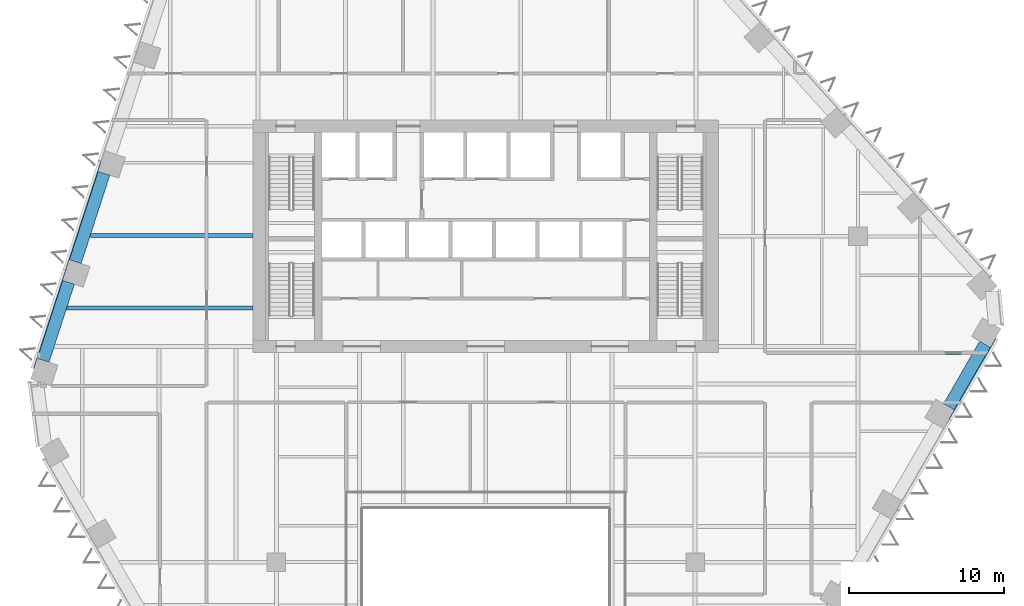
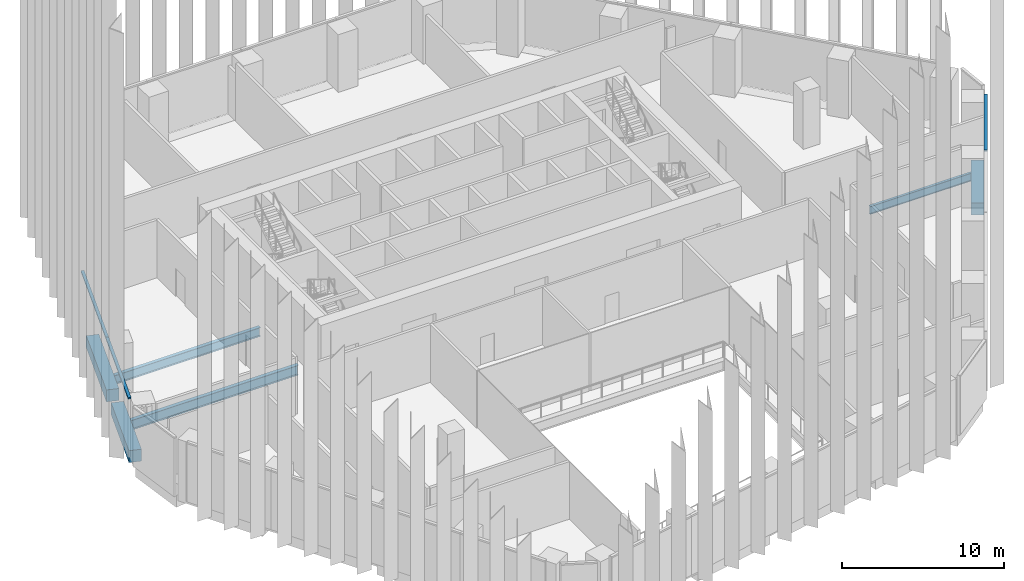
# One storey, part 6 of 18: 6 beams, 3 members, 2 elements without a shape of their own.
"""IFC4 building model written with IfcOpenShell, lengths in metres."""

from ifc_helpers import new_model, si_unit, direction, frame, origin, origin_2d, place, context, subcontext, project, spatial, rectangle, i_section, extrude, material, layer, layer_set, material_profile, profile_set, type_object, element, aggregate, save


model = new_model("IFC4")

# Units and contexts
model_context = context("Model", 3, precision=1e-05, world=origin(), true_north=direction((0.0, 1.0)))
body_context = subcontext(model_context, "Body", "Model", "MODEL_VIEW")
ifc_project = project(units=[si_unit("LENGTHUNIT", "METRE"), si_unit("AREAUNIT", "SQUARE_METRE"), si_unit("VOLUMEUNIT", "CUBIC_METRE"), si_unit("PLANEANGLEUNIT", "RADIAN"), si_unit("MASSUNIT", "GRAM", prefix="KILO")], contexts=[model_context])

# Site, building, storey
site_placement = place(None, origin())
site = spatial("IfcSite", under=ifc_project, at=site_placement, CompositionType="ELEMENT")
building_placement = place(site_placement, origin())
building = spatial("IfcBuilding", under=site, at=building_placement, Name="Isthmus Gate Tower", CompositionType="ELEMENT")
storey_placement = place(building_placement, frame((0.0, 0.0, 166.300048828125)))
storey = spatial("IfcBuildingStorey", under=building, at=storey_placement, Name="L41", CompositionType="ELEMENT", Elevation=166.300048828125)

# Curtain wall, members
ifc_material_1 = material(Name="Aluminium, pale champagne anodised", Category="aluminium")
ifc_layer = layer(ifc_material_1, 0.199951171875)
ifc_layer_set = layer_set([ifc_layer], Name="CW-2 LOUVRE CURTAIN WALL 200 DEEP")
curtain_wall_type = type_object("IfcCurtainWallType", Name="CW-2 LOUVRE CURTAIN WALL 200 DEEP", PredefinedType="NOTDEFINED", material=ifc_layer_set)
curtain_wall_1_placement = place(storey_placement, origin())
curtain_wall_1 = element("IfcCurtainWall", 1, at=curtain_wall_1_placement, inside=storey, type_object=curtain_wall_type, Name="CW-2 NW L41", PredefinedType="NOTDEFINED")
ifc_material_2 = material(Name="Aluminium, pale champagne anodised", Category="aluminium")
ifc_material_profile_1 = material_profile(ifc_material_2, rectangle(XDim=0.199951171875, YDim=0.110107421875, at=origin_2d()), Name="200x110")
ifc_profile_set_1 = profile_set([ifc_material_profile_1], Name="Aluminium, pale champagne anodised")
member_type = type_object("IfcMemberType", Name="CW-2 TRANSOM 200 X 110", PredefinedType="USERDEFINED", material=ifc_profile_set_1)
member_1_placement = place(storey_placement, frame((-24.896240234375, 12.33056640625, 4.445068359375), z_axis=(-0.309025074527, -0.951053890857, 0.0), x_axis=(0.951053890857, -0.309025074527, 0.0)))
member_1 = element("IfcMember", 2, at=member_1_placement, type_object=member_type, Name="CW-2 transom", ObjectType="TRANSOM", PredefinedType="USERDEFINED", context=body_context, shape_type="SweptSolid", body=[
    extrude(rectangle(XDim=0.199951171875, YDim=0.110107421875, at=origin_2d()), origin(), (0.0, 0.0, 1.0), 7.330810546875),
])
member_2_placement = place(storey_placement, frame((-27.16162109375, 5.358642578125, 4.445068359375), z_axis=(-0.309026665985, -0.951053373744, 0.0), x_axis=(0.951053373744, -0.309026665985, 0.0)))
member_2 = element("IfcMember", 3, at=member_2_placement, type_object=member_type, Name="CW-2 transom", ObjectType="TRANSOM", PredefinedType="USERDEFINED", context=body_context, shape_type="SweptSolid", body=[
    extrude(rectangle(XDim=0.199951171875, YDim=0.110107421875, at=origin_2d()), origin(), (0.0, 0.0, 1.0), 6.690673828125),
])
aggregate(curtain_wall_1, [member_1, member_2])

# Curtain wall, member
curtain_wall_2_placement = place(storey_placement, origin())
curtain_wall_2 = element("IfcCurtainWall", 4, at=curtain_wall_2_placement, inside=storey, type_object=curtain_wall_type, Name="CW-2 SE L41", PredefinedType="NOTDEFINED")
member_3_placement = place(storey_placement, frame((29.941162109375, -4.34033203125, 4.445068359375), z_axis=(0.499997231551, 0.866027002143, 0.0), x_axis=(-0.866027002143, 0.499997231551, 0.0)))
member_3 = element("IfcMember", 5, at=member_3_placement, type_object=member_type, Name="CW-2 transom", ObjectType="TRANSOM", PredefinedType="USERDEFINED", context=body_context, shape_type="SweptSolid", body=[
    extrude(rectangle(XDim=0.199951171875, YDim=0.110107421875, at=origin_2d()), origin(), (0.0, 0.0, 1.0), 6.05029296875),
])
aggregate(curtain_wall_2, [member_3])

# Beams
ifc_material_3 = material(Name="Concrete f'c 60 MPa", Category="concrete")
ifc_material_profile_2 = material_profile(ifc_material_3, rectangle(XDim=0.800048828125, YDim=0.89990234375, at=origin_2d()), Name="RC 800X900")
ifc_profile_set_2 = profile_set([ifc_material_profile_2], Name="Concrete f'c 60 MPa")
beam_type_1 = type_object("IfcBeamType", Name="RC SPANDREL 800 X 900", PredefinedType="SPANDREL", material=ifc_profile_set_2)
beam_1_placement = place(storey_placement, frame((32.183349609375, 0.54296875, -0.449951171875), z_axis=(-0.500023913295, -0.866011596997, 0.0), x_axis=(0.866011596997, -0.500023913295, 0.0)))
element("IfcBeam", 6, at=beam_1_placement, inside=storey, type_object=beam_type_1, Name="str-spandrel-L41-06", PredefinedType="SPANDREL", context=body_context, shape_type="SweptSolid", body=[
    extrude(rectangle(XDim=0.800048828125, YDim=0.89990234375, at=origin_2d()), origin(), (0.0, 0.0, 1.0), 4.650146484375),
])
beam_2_placement = place(storey_placement, frame((-28.537353515625, -0.493408203125, -0.449951171875), z_axis=(0.309033901013, 0.951051022829, 0.0), x_axis=(-0.951051022829, 0.309033901013, 0.0)))
element("IfcBeam", 7, at=beam_2_placement, inside=storey, type_object=beam_type_1, Name="str-spandrel-L41-21", PredefinedType="SPANDREL", context=body_context, shape_type="SweptSolid", body=[
    extrude(rectangle(XDim=0.800048828125, YDim=0.89990234375, at=origin_2d()), origin(), (0.0, 0.0, 1.0), 5.290771484375),
])
beam_3_placement = place(storey_placement, frame((-26.4697265625, 5.869873046875, -0.449951171875), z_axis=(0.309029860788, 0.951052335648, 0.0), x_axis=(-0.951052335648, 0.309029860788, 0.0)))
element("IfcBeam", 8, at=beam_3_placement, inside=storey, type_object=beam_type_1, Name="str-spandrel-L41-22", PredefinedType="SPANDREL", context=body_context, shape_type="SweptSolid", body=[
    extrude(rectangle(XDim=0.800048828125, YDim=0.89990234375, at=origin_2d()), origin(), (0.0, 0.0, 1.0), 5.99072265625),
])
ifc_material_4 = material(Name="Structural steel ASTM A992 Gr 50", Category="steel")
ifc_material_profile_3 = material_profile(ifc_material_4, i_section(OverallWidth=0.177734375, OverallDepth=0.60009765625, WebThickness=0.009521484375, FlangeThickness=0.0126953125, at=origin_2d()), Name="W24X55")
ifc_profile_set_3 = profile_set([ifc_material_profile_3], Name="Structural steel ASTM A992 Gr 50")
beam_type_2 = type_object("IfcBeamType", Name="STEEL FLOOR BEAM W24X55", PredefinedType="JOIST", material=ifc_profile_set_3)
beam_4_placement = place(storey_placement, frame((24.13330078125, -0.037353515625, -0.60009765625), z_axis=(1.0, 0.0, 0.0), x_axis=(0.0, 1.0, 0.0)))
element("IfcBeam", 9, at=beam_4_placement, inside=storey, type_object=beam_type_2, Name="str-beam-L41-16-01", PredefinedType="JOIST", context=body_context, shape_type="SweptSolid", body=[
    extrude(i_section(OverallWidth=0.177734375, OverallDepth=0.60009765625, WebThickness=0.009521484375, FlangeThickness=0.0126953125, at=origin_2d()), origin(), (0.0, 0.0, 1.0), 7.2529296875),
])
ifc_material_5 = material(Name="Structural steel ASTM A992 Gr 50", Category="steel")
ifc_material_profile_4 = material_profile(ifc_material_5, i_section(OverallWidth=0.25390625, OverallDepth=0.679443359375, WebThickness=0.010986328125, FlangeThickness=0.015869140625, at=origin_2d()), Name="W27X84")
ifc_profile_set_4 = profile_set([ifc_material_profile_4], Name="Structural steel ASTM A992 Gr 50")
beam_type_3 = type_object("IfcBeamType", Name="STEEL FLOOR BEAM W27X84", PredefinedType="JOIST", material=ifc_profile_set_4)
beam_5_placement = place(storey_placement, frame((-25.498046875, 7.56591796875, -0.6396484375), z_axis=(1.0, 0.0, 0.0), x_axis=(0.0, 1.0, 0.0)))
element("IfcBeam", 10, at=beam_5_placement, inside=storey, type_object=beam_type_3, Name="str-beam-L41-01-01", PredefinedType="JOIST", context=body_context, shape_type="SweptSolid", body=[
    extrude(i_section(OverallWidth=0.25390625, OverallDepth=0.679443359375, WebThickness=0.010986328125, FlangeThickness=0.015869140625, at=origin_2d()), origin(), (0.0, 0.0, 1.0), 10.498046875),
])
ifc_material_6 = material(Name="Structural steel ASTM A992 Gr 50", Category="steel")
ifc_material_profile_5 = material_profile(ifc_material_6, i_section(OverallWidth=0.263427734375, OverallDepth=0.749267578125, WebThickness=0.0126953125, FlangeThickness=0.015869140625, at=origin_2d()), Name="W30X90")
ifc_profile_set_5 = profile_set([ifc_material_profile_5], Name="Structural steel ASTM A992 Gr 50")
beam_type_4 = type_object("IfcBeamType", Name="STEEL FLOOR BEAM W30X90", PredefinedType="JOIST", material=ifc_profile_set_5)
beam_6_placement = place(storey_placement, frame((-27.021728515625, 2.87646484375, -0.6748046875), z_axis=(1.0, 0.0, 0.0), x_axis=(0.0, 1.0, 0.0)))
element("IfcBeam", 11, at=beam_6_placement, inside=storey, type_object=beam_type_4, Name="str-beam-L41-01-00", PredefinedType="JOIST", context=body_context, shape_type="SweptSolid", body=[
    extrude(i_section(OverallWidth=0.263427734375, OverallDepth=0.749267578125, WebThickness=0.0126953125, FlangeThickness=0.015869140625, at=origin_2d()), origin(), (0.0, 0.0, 1.0), 12.021728515625),
])

save(model, "model.ifc")
